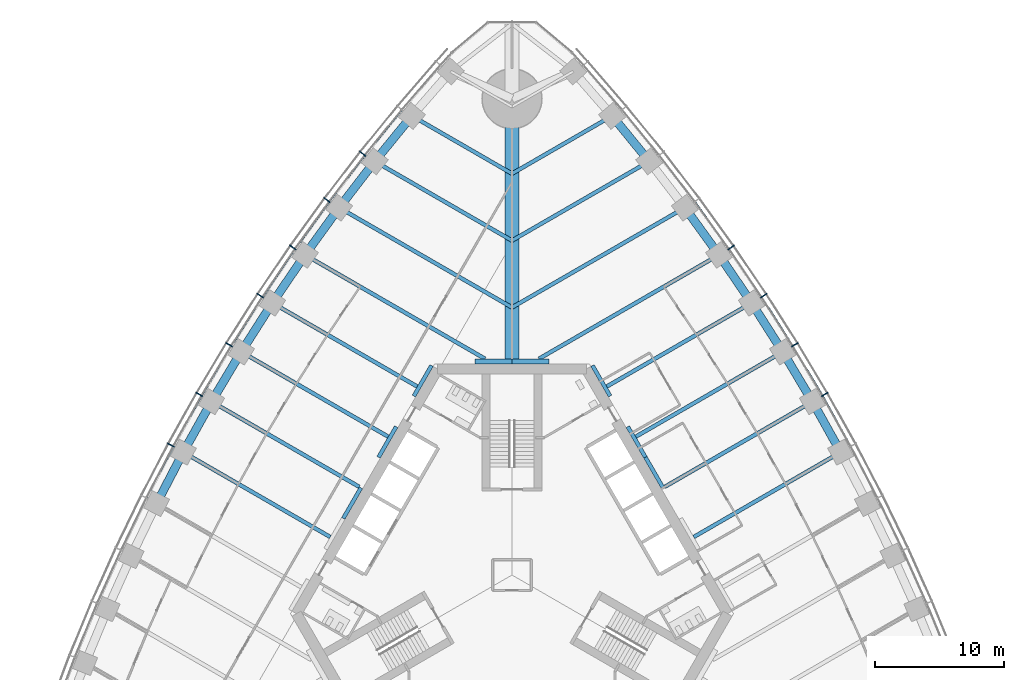
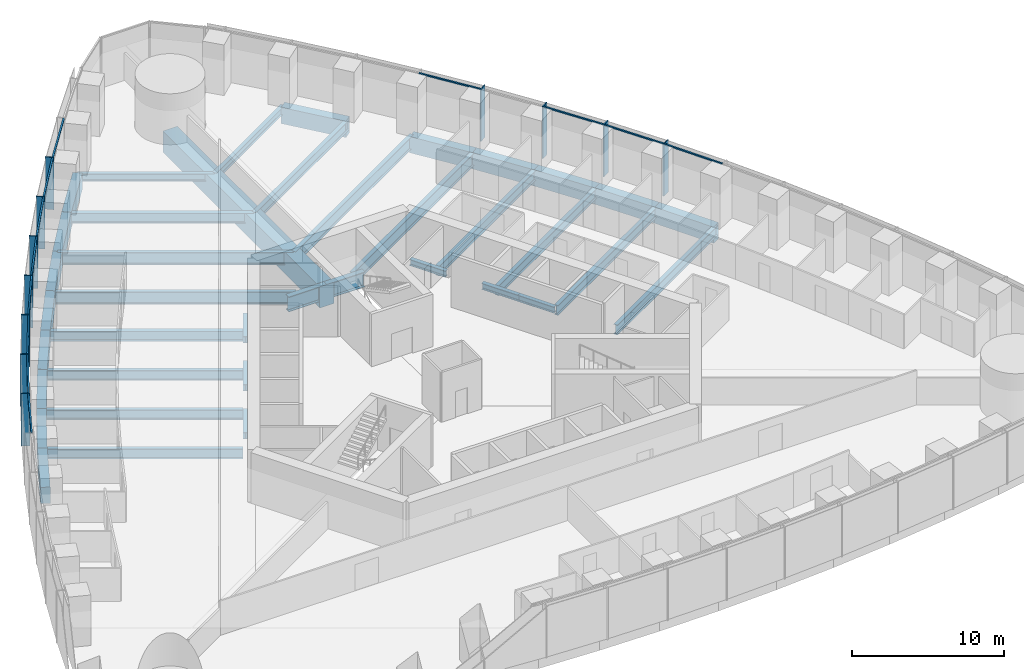
# One storey, part 4 of 18: 39 beams, 23 members, 2 elements without a shape of their own.
"""IFC4 building model written with IfcOpenShell, lengths in metres."""

from ifc_helpers import new_model, si_unit, direction, frame, origin, origin_2d, place, context, subcontext, project, spatial, rectangle, i_section, extrude, material, material_profile, profile_set, type_object, element, aggregate, save


model = new_model("IFC4")

# Units and contexts
model_context = context("Model", 3, precision=1e-05, world=origin(), true_north=direction((0.0, 1.0)))
body_context = subcontext(model_context, "Body", "Model", "MODEL_VIEW")
ifc_project = project(units=[si_unit("LENGTHUNIT", "METRE"), si_unit("AREAUNIT", "SQUARE_METRE"), si_unit("VOLUMEUNIT", "CUBIC_METRE"), si_unit("PLANEANGLEUNIT", "RADIAN"), si_unit("MASSUNIT", "GRAM", prefix="KILO")], contexts=[model_context])

# Site, building, storey
site_placement = place(None, origin())
site = spatial("IfcSite", under=ifc_project, at=site_placement, CompositionType="ELEMENT")
building_placement = place(site_placement, origin())
building = spatial("IfcBuilding", under=site, at=building_placement, Name="Trefoil Bronze Tower", CompositionType="ELEMENT")
storey_placement = place(building_placement, frame((0.0, 0.0, 58.5)))
storey = spatial("IfcBuildingStorey", under=building, at=storey_placement, Name="L13", CompositionType="ELEMENT", Elevation=58.5)

# Curtain wall, members
ifc_material_1 = material(Name="Tinted solar-control glass", Category="glass")
curtain_wall_type = type_object("IfcCurtainWallType", Name="Bronze office curtain wall", PredefinedType="USERDEFINED", material=ifc_material_1)
curtain_wall_1_placement = place(storey_placement, origin())
curtain_wall_1 = element("IfcCurtainWall", 1, at=curtain_wall_1_placement, inside=storey, type_object=curtain_wall_type, Name="CW-A L13 F2", ObjectType="CURTAIN WALL", PredefinedType="USERDEFINED")
ifc_material_2 = material(Name="Bronze-finish aluminium", Category="aluminium")
ifc_material_profile_1 = material_profile(ifc_material_2, rectangle(XDim=0.60009765625, YDim=0.080078125, at=origin_2d()), Name="CW-A mullion")
ifc_profile_set_1 = profile_set([ifc_material_profile_1], Name="Bronze-finish aluminium")
member_type_1 = type_object("IfcMemberType", Name="Bronze office curtain wall mullion", PredefinedType="MULLION", material=ifc_profile_set_1)
member_1_placement = place(storey_placement, frame((24.291015625, 14.0244140625, 0.0), z_axis=(0.0, 0.0, 1.0), x_axis=(-0.866025403784, -0.5, 0.0)))
member_1 = element("IfcMember", 2, at=member_1_placement, type_object=member_type_1, Name="CW-A L13 F2 mullion 9", PredefinedType="MULLION", context=body_context, shape_type="SweptSolid", body=[
    extrude(rectangle(XDim=0.60009765625, YDim=0.080078125, at=origin_2d()), origin(), (0.0, 0.0, 1.0), 4.179931640625),
])
member_2_placement = place(storey_placement, frame((21.97998046875, 17.896240234375, 0.0), z_axis=(0.0, 0.0, 1.0), x_axis=(-0.851149783004, -0.524922896141, 0.0)))
member_2 = element("IfcMember", 3, at=member_2_placement, type_object=member_type_1, Name="CW-A L13 F2 mullion 10", PredefinedType="MULLION", context=body_context, shape_type="SweptSolid", body=[
    extrude(rectangle(XDim=0.60009765625, YDim=0.080078125, at=origin_2d()), origin(), (0.0, 0.0, 1.0), 4.179931640625),
])
member_3_placement = place(storey_placement, frame((19.555419921875, 21.70263671875, 0.0), z_axis=(0.0, 0.0, 1.0), x_axis=(-0.835543651684, -0.549424067665, 0.0)))
member_3 = element("IfcMember", 4, at=member_3_placement, type_object=member_type_1, Name="CW-A L13 F2 mullion 11", PredefinedType="MULLION", context=body_context, shape_type="SweptSolid", body=[
    extrude(rectangle(XDim=0.60009765625, YDim=0.080078125, at=origin_2d()), origin(), (0.0, 0.0, 1.0), 4.179931640625),
])
member_4_placement = place(storey_placement, frame((17.01708984375, 25.443359375, 0.0), z_axis=(0.0, 0.0, 1.0), x_axis=(-0.819204207116, -0.573501932903, 0.0)))
member_4 = element("IfcMember", 5, at=member_4_placement, type_object=member_type_1, Name="CW-A L13 F2 mullion 12", PredefinedType="MULLION", context=body_context, shape_type="SweptSolid", body=[
    extrude(rectangle(XDim=0.60009765625, YDim=0.080078125, at=origin_2d()), origin(), (0.0, 0.0, 1.0), 4.179931640625),
])

curtain_wall_2_placement = place(storey_placement, origin())
curtain_wall_2 = element("IfcCurtainWall", 6, at=curtain_wall_2_placement, inside=storey, type_object=curtain_wall_type, Name="CW-A L13 F3", ObjectType="CURTAIN WALL", PredefinedType="USERDEFINED")
member_5_placement = place(storey_placement, frame((-11.595458984375, 32.7255859375, 0.0), z_axis=(0.0, 0.0, 1.0), x_axis=(0.784304615744, -0.620375910011, 0.0)))
member_5 = element("IfcMember", 7, at=member_5_placement, type_object=member_type_1, Name="CW-A L13 F3 mullion 4", PredefinedType="MULLION", context=body_context, shape_type="SweptSolid", body=[
    extrude(rectangle(XDim=0.60009765625, YDim=0.080078125, at=origin_2d()), origin(), (0.0, 0.0, 1.0), 4.179931640625),
])
member_6_placement = place(storey_placement, frame((-14.364013671875, 29.117919921875, 0.0), z_axis=(0.0, 0.0, 1.0), x_axis=(0.802126748469, -0.59715381552, 0.0)))
member_6 = element("IfcMember", 8, at=member_6_placement, type_object=member_type_1, Name="CW-A L13 F3 mullion 5", PredefinedType="MULLION", context=body_context, shape_type="SweptSolid", body=[
    extrude(rectangle(XDim=0.60009765625, YDim=0.080078125, at=origin_2d()), origin(), (0.0, 0.0, 1.0), 4.179931640625),
])
member_7_placement = place(storey_placement, frame((-17.01708984375, 25.443359375, 0.0), z_axis=(0.0, 0.0, 1.0), x_axis=(0.819204207116, -0.573501932903, 0.0)))
member_7 = element("IfcMember", 9, at=member_7_placement, type_object=member_type_1, Name="CW-A L13 F3 mullion 6", PredefinedType="MULLION", context=body_context, shape_type="SweptSolid", body=[
    extrude(rectangle(XDim=0.60009765625, YDim=0.080078125, at=origin_2d()), origin(), (0.0, 0.0, 1.0), 4.179931640625),
])
member_8_placement = place(storey_placement, frame((-19.555419921875, 21.70263671875, 0.0), z_axis=(0.0, 0.0, 1.0), x_axis=(0.835543651684, -0.549424067665, 0.0)))
member_8 = element("IfcMember", 10, at=member_8_placement, type_object=member_type_1, Name="CW-A L13 F3 mullion 7", PredefinedType="MULLION", context=body_context, shape_type="SweptSolid", body=[
    extrude(rectangle(XDim=0.60009765625, YDim=0.080078125, at=origin_2d()), origin(), (0.0, 0.0, 1.0), 4.179931640625),
])
member_9_placement = place(storey_placement, frame((-21.97998046875, 17.896240234375, 0.0), z_axis=(0.0, 0.0, 1.0), x_axis=(0.851149783004, -0.524922896141, 0.0)))
member_9 = element("IfcMember", 11, at=member_9_placement, type_object=member_type_1, Name="CW-A L13 F3 mullion 8", PredefinedType="MULLION", context=body_context, shape_type="SweptSolid", body=[
    extrude(rectangle(XDim=0.60009765625, YDim=0.080078125, at=origin_2d()), origin(), (0.0, 0.0, 1.0), 4.179931640625),
])
member_10_placement = place(storey_placement, frame((-24.291015625, 14.0244140625, 0.0), z_axis=(0.0, 0.0, 1.0), x_axis=(0.866025403784, -0.5, 0.0)))
member_10 = element("IfcMember", 12, at=member_10_placement, type_object=member_type_1, Name="CW-A L13 F3 mullion 9", PredefinedType="MULLION", context=body_context, shape_type="SweptSolid", body=[
    extrude(rectangle(XDim=0.60009765625, YDim=0.080078125, at=origin_2d()), origin(), (0.0, 0.0, 1.0), 4.179931640625),
])
member_11_placement = place(storey_placement, frame((-26.488525390625, 10.0869140625, 0.0), z_axis=(0.0, 0.0, 1.0), x_axis=(0.880171454588, -0.474655886437, 0.0)))
member_11 = element("IfcMember", 13, at=member_11_placement, type_object=member_type_1, Name="CW-A L13 F3 mullion 10", PredefinedType="MULLION", context=body_context, shape_type="SweptSolid", body=[
    extrude(rectangle(XDim=0.60009765625, YDim=0.080078125, at=origin_2d()), origin(), (0.0, 0.0, 1.0), 4.179931640625),
])

# Member
ifc_material_3 = material(Name="Bronze-finish aluminium", Category="aluminium")
ifc_material_profile_2 = material_profile(ifc_material_3, rectangle(XDim=0.1201171875, YDim=0.10009765625, at=origin_2d()), Name="CW-A transom")
ifc_profile_set_2 = profile_set([ifc_material_profile_2], Name="Bronze-finish aluminium")
member_type_2 = type_object("IfcMemberType", Name="Bronze office curtain wall transom", PredefinedType="USERDEFINED", material=ifc_profile_set_2)
member_12_placement = place(storey_placement, frame((26.29248046875, 10.0283203125, 4.1298828125), z_axis=(-0.487400435348, 0.873178570295, 0.0), x_axis=(-0.873178570295, -0.487400435348, 0.0)))
member_12 = element("IfcMember", 14, at=member_12_placement, type_object=member_type_2, Name="CW-A L13 F2 transom 8", ObjectType="TRANSOM", PredefinedType="USERDEFINED", context=body_context, shape_type="SweptSolid", body=[
    extrude(rectangle(XDim=0.1201171875, YDim=0.10009765625, at=origin_2d()), origin(), (0.0, 0.0, 1.0), 4.42041015625),
])

member_13_placement = place(storey_placement, frame((24.096435546875, 13.9599609375, 4.1298828125), z_axis=(-0.512536988879, 0.858665147209, 0.0), x_axis=(-0.858665147209, -0.512536988879, 0.0)))
member_13 = element("IfcMember", 15, at=member_13_placement, type_object=member_type_2, Name="CW-A L13 F2 transom 9", ObjectType="TRANSOM", PredefinedType="USERDEFINED", context=body_context, shape_type="SweptSolid", body=[
    extrude(rectangle(XDim=0.1201171875, YDim=0.10009765625, at=origin_2d()), origin(), (0.0, 0.0, 1.0), 4.42041015625),
])

member_14_placement = place(storey_placement, frame((21.787353515625, 17.826171875, 4.1298828125), z_axis=(-0.537196807268, 0.843456928515, 0.0), x_axis=(-0.843456928515, -0.537196807268, 0.0)))
member_14 = element("IfcMember", 16, at=member_14_placement, type_object=member_type_2, Name="CW-A L13 F2 transom 10", ObjectType="TRANSOM", PredefinedType="USERDEFINED", context=body_context, shape_type="SweptSolid", body=[
    extrude(rectangle(XDim=0.1201171875, YDim=0.10009765625, at=origin_2d()), origin(), (0.0, 0.0, 1.0), 4.42431640625),
])

member_15_placement = place(storey_placement, frame((16.828857421875, 25.3623046875, 4.1298828125), z_axis=(-0.585378207433, 0.81076035563, 0.0), x_axis=(-0.81076035563, -0.585378207433, 0.0)))
member_15 = element("IfcMember", 17, at=member_15_placement, type_object=member_type_2, Name="CW-A L13 F2 transom 12", ObjectType="TRANSOM", PredefinedType="USERDEFINED", context=body_context, shape_type="SweptSolid", body=[
    extrude(rectangle(XDim=0.1201171875, YDim=0.10009765625, at=origin_2d()), origin(), (0.0, 0.0, 1.0), 4.443359375),
])

aggregate(curtain_wall_1, [member_1, member_2, member_3, member_4, member_12, member_13, member_14, member_15])

member_16_placement = place(storey_placement, frame((-8.582763671875, 36.10498046875, 4.1298828125), z_axis=(-0.631835540201, -0.775102477185, 0.0), x_axis=(0.775102477185, -0.631835540201, 0.0)))
member_16 = element("IfcMember", 18, at=member_16_placement, type_object=member_type_2, Name="CW-A L13 F3 transom 3", ObjectType="TRANSOM", PredefinedType="USERDEFINED", context=body_context, shape_type="SweptSolid", body=[
    extrude(rectangle(XDim=0.1201171875, YDim=0.10009765625, at=origin_2d()), origin(), (0.0, 0.0, 1.0), 4.478271484375),
])

member_17_placement = place(storey_placement, frame((-11.4638671875, 32.568603515625, 4.1298828125), z_axis=(-0.608829203216, -0.793301330713, 0.0), x_axis=(0.793301330713, -0.608829203216, 0.0)))
member_17 = element("IfcMember", 19, at=member_17_placement, type_object=member_type_2, Name="CW-A L13 F3 transom 4", ObjectType="TRANSOM", PredefinedType="USERDEFINED", context=body_context, shape_type="SweptSolid", body=[
    extrude(rectangle(XDim=0.1201171875, YDim=0.10009765625, at=origin_2d()), origin(), (0.0, 0.0, 1.0), 4.458740234375),
])

member_18_placement = place(storey_placement, frame((-14.227783203125, 28.96484375, 4.1298828125), z_axis=(-0.585378207433, -0.81076035563, 0.0), x_axis=(0.81076035563, -0.585378207433, 0.0)))
member_18 = element("IfcMember", 20, at=member_18_placement, type_object=member_type_2, Name="CW-A L13 F3 transom 5", ObjectType="TRANSOM", PredefinedType="USERDEFINED", context=body_context, shape_type="SweptSolid", body=[
    extrude(rectangle(XDim=0.1201171875, YDim=0.10009765625, at=origin_2d()), origin(), (0.0, 0.0, 1.0), 4.443359375),
])

member_19_placement = place(storey_placement, frame((-16.87646484375, 25.29443359375, 4.1298828125), z_axis=(-0.561508153923, -0.827471203775, 0.0), x_axis=(0.827471203775, -0.561508153923, 0.0)))
member_19 = element("IfcMember", 21, at=member_19_placement, type_object=member_type_2, Name="CW-A L13 F3 transom 6", ObjectType="TRANSOM", PredefinedType="USERDEFINED", context=body_context, shape_type="SweptSolid", body=[
    extrude(rectangle(XDim=0.1201171875, YDim=0.10009765625, at=origin_2d()), origin(), (0.0, 0.0, 1.0), 4.431884765625),
])

member_20_placement = place(storey_placement, frame((-19.41064453125, 21.557861328125, 4.1298828125), z_axis=(-0.537196807268, -0.843456928515, 0.0), x_axis=(0.843456928515, -0.537196807268, 0.0)))
member_20 = element("IfcMember", 22, at=member_20_placement, type_object=member_type_2, Name="CW-A L13 F3 transom 7", ObjectType="TRANSOM", PredefinedType="USERDEFINED", context=body_context, shape_type="SweptSolid", body=[
    extrude(rectangle(XDim=0.1201171875, YDim=0.10009765625, at=origin_2d()), origin(), (0.0, 0.0, 1.0), 4.42431640625),
])

member_21_placement = place(storey_placement, frame((-21.830810546875, 17.755615234375, 4.1298828125), z_axis=(-0.512536988879, -0.858665147209, 0.0), x_axis=(0.858665147209, -0.512536988879, 0.0)))
member_21 = element("IfcMember", 23, at=member_21_placement, type_object=member_type_2, Name="CW-A L13 F3 transom 8", ObjectType="TRANSOM", PredefinedType="USERDEFINED", context=body_context, shape_type="SweptSolid", body=[
    extrude(rectangle(XDim=0.1201171875, YDim=0.10009765625, at=origin_2d()), origin(), (0.0, 0.0, 1.0), 4.42041015625),
])

member_22_placement = place(storey_placement, frame((-24.137939453125, 13.88818359375, 4.1298828125), z_axis=(-0.487400435348, -0.873178570295, 0.0), x_axis=(0.873178570295, -0.487400435348, 0.0)))
member_22 = element("IfcMember", 24, at=member_22_placement, type_object=member_type_2, Name="CW-A L13 F3 transom 9", ObjectType="TRANSOM", PredefinedType="USERDEFINED", context=body_context, shape_type="SweptSolid", body=[
    extrude(rectangle(XDim=0.1201171875, YDim=0.10009765625, at=origin_2d()), origin(), (0.0, 0.0, 1.0), 4.42041015625),
])

member_23_placement = place(storey_placement, frame((-26.331787109375, 9.955322265625, 4.1298828125), z_axis=(-0.461809621225, -0.886979071762, 0.0), x_axis=(0.886979071762, -0.461809621225, 0.0)))
member_23 = element("IfcMember", 25, at=member_23_placement, type_object=member_type_2, Name="CW-A L13 F3 transom 10", ObjectType="TRANSOM", PredefinedType="USERDEFINED", context=body_context, shape_type="SweptSolid", body=[
    extrude(rectangle(XDim=0.1201171875, YDim=0.10009765625, at=origin_2d()), origin(), (0.0, 0.0, 1.0), 4.42431640625),
])

aggregate(curtain_wall_2, [member_5, member_6, member_7, member_8, member_9, member_10, member_11, member_16, member_17, member_18, member_19, member_20, member_21, member_22, member_23])

# Beams
ifc_material_4 = material(Name="Steel C355", Category="steel")
ifc_material_profile_3 = material_profile(ifc_material_4, i_section(OverallWidth=0.300048828125, OverallDepth=0.5, WebThickness=0.014404296875, FlangeThickness=0.028076171875, FilletRadius=0.027099609375, at=origin_2d()), Name="HEB 500")
ifc_profile_set_3 = profile_set([ifc_material_profile_3], Name="Steel C355")
beam_type_1 = type_object("IfcBeamType", Name="Core seat beam HEB 500", PredefinedType="BEAM", material=ifc_profile_set_3)
for number, where, z_axis, x_axis, name in (
    (26, (11.734619140625, 6.77490234375, -0.449951171875), (-0.499969057507, 0.866043267704, 0.0), (-0.866043267704, -0.499969057507, 0.0), "Core seat beam F2/+0 L13"),
    (27, (10.363525390625, 9.14990234375, -0.449951171875), (-0.500035825175, 0.866004719122, 0.0), (-0.866004719122, -0.500035825175, 0.0), "Core seat beam F2/+1 L13"),
    (28, (7.62109375, 13.89990234375, -0.449951171875), (-0.500035825175, 0.866004719122, 0.0), (-0.866004719122, -0.500035825175, 0.0), "Core seat beam F2/+2 L13"),
    (29, (-6.249755859375, 16.27490234375, -0.449951171875), (-0.500035825175, -0.866004719122, 0.0), (0.866004719122, -0.500035825175, 0.0), "Core seat beam F3/-2 L13"),
    (30, (-8.9921875, 11.52490234375, -0.449951171875), (-0.500035825175, -0.866004719122, 0.0), (0.866004719122, -0.500035825175, 0.0), "Core seat beam F3/-1 L13"),
    (31, (-11.734619140625, 6.77490234375, -0.449951171875), (-0.500035825175, -0.866004719122, 0.0), (0.866004719122, -0.500035825175, 0.0), "Core seat beam F3/+0 L13"),
):
    element("IfcBeam", number, at=place(storey_placement, frame(where, z_axis=z_axis, x_axis=x_axis)), inside=storey, type_object=beam_type_1, Name=name, PredefinedType="BEAM", context=body_context, shape_type="SweptSolid", body=[
        extrude(i_section(OverallWidth=0.300048828125, OverallDepth=0.5, WebThickness=0.014404296875, FlangeThickness=0.028076171875, FilletRadius=0.027099609375, at=origin_2d()), origin(), (0.0, 0.0, 1.0), 2.742431640625),
    ])
ifc_material_5 = material(Name="Steel C355", Category="steel")
ifc_material_profile_4 = material_profile(ifc_material_5, i_section(OverallWidth=0.39990234375, OverallDepth=1.199951171875, WebThickness=0.02001953125, FlangeThickness=0.0400390625, FilletRadius=0.010009765625, at=origin_2d()), Name="WPG 1200")
ifc_profile_set_4 = profile_set([ifc_material_profile_4], Name="Steel C355")
beam_type_2 = type_object("IfcBeamType", Name="Core seat beam WPG 1200", PredefinedType="BEAM", material=ifc_profile_set_4)
for number, where, z_axis, x_axis, name in (
    (32, (2.88671875, 16.60009765625, -0.800048828125), (-1.0, 0.0, 0.0), (0.0, -1.0, 0.0), "Core seat beam F2/+3 L13"),
    (33, (0.0, 16.60009765625, -0.800048828125), (-1.0, 0.0, 0.0), (0.0, -1.0, 0.0), "Core seat beam F3/-3 L13"),
):
    element("IfcBeam", number, at=place(storey_placement, frame(where, z_axis=z_axis, x_axis=x_axis)), inside=storey, type_object=beam_type_2, Name=name, PredefinedType="BEAM", context=body_context, shape_type="SweptSolid", body=[
        extrude(i_section(OverallWidth=0.39990234375, OverallDepth=1.199951171875, WebThickness=0.02001953125, FlangeThickness=0.0400390625, FilletRadius=0.010009765625, at=origin_2d()), origin(), (0.0, 0.0, 1.0), 2.88671875),
    ])
ifc_material_6 = material(Name="Concrete B80", Category="concrete")
ifc_material_profile_5 = material_profile(ifc_material_6, rectangle(XDim=1.10009765625, YDim=1.699951171875, at=origin_2d()), Name="RC 1100x1700")
ifc_profile_set_5 = profile_set([ifc_material_profile_5], Name="Concrete B80")
beam_type_3 = type_object("IfcBeamType", Name="Corner girder RC 1100x1700", PredefinedType="BEAM", material=ifc_profile_set_5)
beam_1_placement = place(storey_placement, frame((0.0, 16.39990234375, -1.050048828125), z_axis=(0.0, 1.0, 0.0), x_axis=(-1.0, 0.0, 0.0)))
element("IfcBeam", 34, at=beam_1_placement, inside=storey, type_object=beam_type_3, Name="Corner girder K2 L13", PredefinedType="BEAM", context=body_context, shape_type="SweptSolid", body=[
    extrude(rectangle(XDim=1.10009765625, YDim=1.699951171875, at=origin_2d()), origin(), (0.0, 0.0, 1.0), 20.60009765625),
])
ifc_material_7 = material(Name="Steel C355", Category="steel")
ifc_material_profile_6 = material_profile(ifc_material_7, i_section(OverallWidth=0.300048828125, OverallDepth=0.590087890625, WebThickness=0.012939453125, FlangeThickness=0.02490234375, FilletRadius=0.027099609375, at=origin_2d()), Name="HEA 600")
ifc_profile_set_6 = profile_set([ifc_material_profile_6], Name="Steel C355")
beam_type_4 = type_object("IfcBeamType", Name="Floor beam HEA 600", PredefinedType="BEAM", material=ifc_profile_set_6)
for number, where, z_axis, x_axis, name in (
    (35, (7.7763671875, 35.666748046875, -0.4951171875), (-0.866022587327, -0.500004878216, 0.0), (0.500004878216, -0.866022587327, 0.0), "Floor beam F2/+6 L13"),
    (36, (-7.7763671875, 35.666748046875, -0.4951171875), (0.866022587327, -0.500004878216, 0.0), (0.500004878216, 0.866022587327, 0.0), "Floor beam F3/-6 L13"),
):
    element("IfcBeam", number, at=place(storey_placement, frame(where, z_axis=z_axis, x_axis=x_axis)), inside=storey, type_object=beam_type_4, Name=name, PredefinedType="BEAM", context=body_context, shape_type="SweptSolid", body=[
        extrude(i_section(OverallWidth=0.300048828125, OverallDepth=0.590087890625, WebThickness=0.012939453125, FlangeThickness=0.02490234375, FilletRadius=0.027099609375, at=origin_2d()), origin(), (0.0, 0.0, 1.0), 8.9794921875),
    ])
ifc_material_8 = material(Name="Steel C355", Category="steel")
ifc_material_profile_7 = material_profile(ifc_material_8, i_section(OverallWidth=0.300048828125, OverallDepth=1.0, WebThickness=0.01904296875, FlangeThickness=0.035888671875, FilletRadius=0.030029296875, at=origin_2d()), Name="HEB 1000")
ifc_profile_set_7 = profile_set([ifc_material_profile_7], Name="Steel C355")
beam_type_5 = type_object("IfcBeamType", Name="Floor beam HEB 1000", PredefinedType="BEAM", material=ifc_profile_set_7)
for number, where, z_axis, x_axis, name in (
    (37, (13.42578125, 28.5361328125, -0.699951171875), (-0.866022989816, -0.500004181093, 0.0), (0.500004181093, -0.866022989816, 0.0), "Floor beam F2/+4 L13"),
    (38, (-13.42578125, 28.5361328125, -0.699951171875), (0.866022989816, -0.500004181093, 0.0), (0.500004181093, 0.866022989816, 0.0), "Floor beam F3/-4 L13"),
):
    element("IfcBeam", number, at=place(storey_placement, frame(where, z_axis=z_axis, x_axis=x_axis)), inside=storey, type_object=beam_type_5, Name=name, PredefinedType="BEAM", context=body_context, shape_type="SweptSolid", body=[
        extrude(i_section(OverallWidth=0.300048828125, OverallDepth=1.0, WebThickness=0.01904296875, FlangeThickness=0.035888671875, FilletRadius=0.030029296875, at=origin_2d()), origin(), (0.0, 0.0, 1.0), 15.502685546875),
    ])
ifc_material_9 = material(Name="Steel C355", Category="steel")
ifc_material_profile_8 = material_profile(ifc_material_9, i_section(OverallWidth=0.300048828125, OverallDepth=0.800048828125, WebThickness=0.017578125, FlangeThickness=0.032958984375, FilletRadius=0.030029296875, at=origin_2d()), Name="HEB 800")
ifc_profile_set_8 = profile_set([ifc_material_profile_8], Name="Steel C355")
beam_type_6 = type_object("IfcBeamType", Name="Floor beam HEB 800", PredefinedType="BEAM", material=ifc_profile_set_8)
beam_2_placement = place(storey_placement, frame((25.531494140625, 9.54443359375, -0.60009765625), z_axis=(-0.866027071639, -0.499997111179, 0.0), x_axis=(0.499997111179, -0.866027071639, 0.0)))
element("IfcBeam", 39, at=beam_2_placement, inside=storey, type_object=beam_type_6, Name="Floor beam F2/-1 L13", PredefinedType="BEAM", context=body_context, shape_type="SweptSolid", body=[
    extrude(i_section(OverallWidth=0.300048828125, OverallDepth=0.800048828125, WebThickness=0.017578125, FlangeThickness=0.032958984375, FilletRadius=0.030029296875, at=origin_2d()), origin(), (0.0, 0.0, 1.0), 13.18310546875),
])
beam_3_placement = place(storey_placement, frame((23.33837890625, 13.474365234375, -0.60009765625), z_axis=(-0.866031233401, -0.499989902672, 0.0), x_axis=(0.499989902672, -0.866031233401, 0.0)))
element("IfcBeam", 40, at=beam_3_placement, inside=storey, type_object=beam_type_6, Name="Floor beam F2/+0 L13", PredefinedType="BEAM", context=body_context, shape_type="SweptSolid", body=[
    extrude(i_section(OverallWidth=0.300048828125, OverallDepth=0.800048828125, WebThickness=0.017578125, FlangeThickness=0.032958984375, FilletRadius=0.030029296875, at=origin_2d()), origin(), (0.0, 0.0, 1.0), 13.248779296875),
])
beam_4_placement = place(storey_placement, frame((21.031494140625, 17.338623046875, -0.60009765625), z_axis=(-0.866027071639, -0.499997111179, 0.0), x_axis=(0.499997111179, -0.866027071639, 0.0)))
element("IfcBeam", 41, at=beam_4_placement, inside=storey, type_object=beam_type_6, Name="Floor beam F2/+1 L13", PredefinedType="BEAM", context=body_context, shape_type="SweptSolid", body=[
    extrude(i_section(OverallWidth=0.300048828125, OverallDepth=0.800048828125, WebThickness=0.017578125, FlangeThickness=0.032958984375, FilletRadius=0.030029296875, at=origin_2d()), origin(), (0.0, 0.0, 1.0), 13.18310546875),
])
beam_5_placement = place(storey_placement, frame((18.61083984375, 21.13720703125, -0.60009765625), z_axis=(-0.866030615021, -0.499990973765, 0.0), x_axis=(0.499990973765, -0.866030615021, 0.0)))
element("IfcBeam", 42, at=beam_5_placement, inside=storey, type_object=beam_type_6, Name="Floor beam F2/+2 L13", PredefinedType="BEAM", context=body_context, shape_type="SweptSolid", body=[
    extrude(i_section(OverallWidth=0.300048828125, OverallDepth=0.800048828125, WebThickness=0.017578125, FlangeThickness=0.032958984375, FilletRadius=0.030029296875, at=origin_2d()), origin(), (0.0, 0.0, 1.0), 12.986083984375),
])
for number, where, z_axis, x_axis, name in (
    (43, (10.659912109375, 32.13525390625, -0.60009765625), (-0.866024070878, -0.500002308654, 0.0), (0.500002308654, -0.866024070878, 0.0), "Floor beam F2/+5 L13"),
    (44, (-10.659912109375, 32.13525390625, -0.60009765625), (0.866024070878, -0.500002308654, 0.0), (0.500002308654, 0.866024070878, 0.0), "Floor beam F3/-5 L13"),
):
    element("IfcBeam", number, at=place(storey_placement, frame(where, z_axis=z_axis, x_axis=x_axis)), inside=storey, type_object=beam_type_6, Name=name, PredefinedType="BEAM", context=body_context, shape_type="SweptSolid", body=[
        extrude(i_section(OverallWidth=0.300048828125, OverallDepth=0.800048828125, WebThickness=0.017578125, FlangeThickness=0.032958984375, FilletRadius=0.030029296875, at=origin_2d()), origin(), (0.0, 0.0, 1.0), 12.30908203125),
    ])
beam_6_placement = place(storey_placement, frame((-18.61083984375, 21.13720703125, -0.60009765625), z_axis=(0.866030615021, -0.499990973765, 0.0), x_axis=(0.499990973765, 0.866030615021, 0.0)))
element("IfcBeam", 45, at=beam_6_placement, inside=storey, type_object=beam_type_6, Name="Floor beam F3/-2 L13", PredefinedType="BEAM", context=body_context, shape_type="SweptSolid", body=[
    extrude(i_section(OverallWidth=0.300048828125, OverallDepth=0.800048828125, WebThickness=0.017578125, FlangeThickness=0.032958984375, FilletRadius=0.030029296875, at=origin_2d()), origin(), (0.0, 0.0, 1.0), 12.986083984375),
])
beam_7_placement = place(storey_placement, frame((-21.031494140625, 17.338623046875, -0.60009765625), z_axis=(0.866027071639, -0.499997111179, 0.0), x_axis=(0.499997111179, 0.866027071639, 0.0)))
element("IfcBeam", 46, at=beam_7_placement, inside=storey, type_object=beam_type_6, Name="Floor beam F3/-1 L13", PredefinedType="BEAM", context=body_context, shape_type="SweptSolid", body=[
    extrude(i_section(OverallWidth=0.300048828125, OverallDepth=0.800048828125, WebThickness=0.017578125, FlangeThickness=0.032958984375, FilletRadius=0.030029296875, at=origin_2d()), origin(), (0.0, 0.0, 1.0), 13.18310546875),
])
beam_8_placement = place(storey_placement, frame((-23.33837890625, 13.474365234375, -0.60009765625), z_axis=(0.866031233401, -0.499989902672, 0.0), x_axis=(0.499989902672, 0.866031233401, 0.0)))
element("IfcBeam", 47, at=beam_8_placement, inside=storey, type_object=beam_type_6, Name="Floor beam F3/+0 L13", PredefinedType="BEAM", context=body_context, shape_type="SweptSolid", body=[
    extrude(i_section(OverallWidth=0.300048828125, OverallDepth=0.800048828125, WebThickness=0.017578125, FlangeThickness=0.032958984375, FilletRadius=0.030029296875, at=origin_2d()), origin(), (0.0, 0.0, 1.0), 13.248779296875),
])
beam_9_placement = place(storey_placement, frame((-25.531494140625, 9.54443359375, -0.60009765625), z_axis=(0.866027071639, -0.499997111179, 0.0), x_axis=(0.499997111179, 0.866027071639, 0.0)))
element("IfcBeam", 48, at=beam_9_placement, inside=storey, type_object=beam_type_6, Name="Floor beam F3/+1 L13", PredefinedType="BEAM", context=body_context, shape_type="SweptSolid", body=[
    extrude(i_section(OverallWidth=0.300048828125, OverallDepth=0.800048828125, WebThickness=0.017578125, FlangeThickness=0.032958984375, FilletRadius=0.030029296875, at=origin_2d()), origin(), (0.0, 0.0, 1.0), 13.18310546875),
])
ifc_material_10 = material(Name="Steel C355", Category="steel")
ifc_material_profile_9 = material_profile(ifc_material_10, i_section(OverallWidth=0.302001953125, OverallDepth=1.008056640625, WebThickness=0.02099609375, FlangeThickness=0.0400390625, FilletRadius=0.030029296875, at=origin_2d()), Name="HEM 1000")
ifc_profile_set_9 = profile_set([ifc_material_profile_9], Name="Steel C355")
beam_type_7 = type_object("IfcBeamType", Name="Floor beam HEM 1000", PredefinedType="BEAM", material=ifc_profile_set_9)
for number, where, z_axis, x_axis, name in (
    (49, (16.075927734375, 24.869873046875, -0.7041015625), (-0.866028401131, -0.499994808408, 0.0), (0.499994808408, -0.866028401131, 0.0), "Floor beam F2/+3 L13"),
    (50, (-16.075927734375, 24.869873046875, -0.7041015625), (0.866028401131, -0.499994808408, 0.0), (0.499994808408, 0.866028401131, 0.0), "Floor beam F3/-3 L13"),
):
    element("IfcBeam", number, at=place(storey_placement, frame(where, z_axis=z_axis, x_axis=x_axis)), inside=storey, type_object=beam_type_7, Name=name, PredefinedType="BEAM", context=body_context, shape_type="SweptSolid", body=[
        extrude(i_section(OverallWidth=0.302001953125, OverallDepth=1.008056640625, WebThickness=0.02099609375, FlangeThickness=0.0400390625, FilletRadius=0.030029296875, at=origin_2d()), origin(), (0.0, 0.0, 1.0), 16.139892578125),
    ])
ifc_material_11 = material(Name="Concrete B80", Category="concrete")
ifc_material_profile_10 = material_profile(ifc_material_11, rectangle(XDim=0.64990234375, YDim=1.300048828125, at=origin_2d()), Name="RC 650x1300")
ifc_profile_set_10 = profile_set([ifc_material_profile_10], Name="Concrete B80")
beam_type_8 = type_object("IfcBeamType", Name="Spandrel beam RC 650x1300", PredefinedType="SPANDREL", material=ifc_profile_set_10)
for number, where, z_axis, x_axis, name in (
    (51, (25.531494140625, 9.54443359375, -0.85009765625), (-0.487309404804, 0.873229376504, 0.0), (-0.873229376504, -0.487309404804, 0.0), "Spandrel F2.8 L13"),
    (52, (23.33837890625, 13.474365234375, -0.85009765625), (-0.512587831591, 0.858634797166, 0.0), (-0.858634797166, -0.512587831591, 0.0), "Spandrel F2.9 L13"),
):
    element("IfcBeam", number, at=place(storey_placement, frame(where, z_axis=z_axis, x_axis=x_axis)), inside=storey, type_object=beam_type_8, Name=name, PredefinedType="SPANDREL", context=body_context, shape_type="SweptSolid", body=[
        extrude(rectangle(XDim=0.64990234375, YDim=1.300048828125, at=origin_2d()), origin(), (0.0, 0.0, 1.0), 4.50048828125),
    ])
beam_10_placement = place(storey_placement, frame((21.031494140625, 17.338623046875, -0.85009765625), z_axis=(-0.537408473305, 0.843322081307, 0.0), x_axis=(-0.843322081307, -0.537408473305, 0.0)))
element("IfcBeam", 53, at=beam_10_placement, inside=storey, type_object=beam_type_8, Name="Spandrel F2.10 L13", PredefinedType="SPANDREL", context=body_context, shape_type="SweptSolid", body=[
    extrude(rectangle(XDim=0.64990234375, YDim=1.300048828125, at=origin_2d()), origin(), (0.0, 0.0, 1.0), 4.50439453125),
])
beam_11_placement = place(storey_placement, frame((18.61083984375, 21.13720703125, -0.85009765625), z_axis=(-0.561809680291, 0.827266512758, 0.0), x_axis=(-0.827266512758, -0.561809680291, 0.0)))
element("IfcBeam", 54, at=beam_11_placement, inside=storey, type_object=beam_type_8, Name="Spandrel F2.11 L13", PredefinedType="SPANDREL", context=body_context, shape_type="SweptSolid", body=[
    extrude(rectangle(XDim=0.64990234375, YDim=1.300048828125, at=origin_2d()), origin(), (0.0, 0.0, 1.0), 4.511962890625),
])
beam_12_placement = place(storey_placement, frame((16.075927734375, 24.869873046875, -0.85009765625), z_axis=(-0.585823508301, 0.810438657223, 0.0), x_axis=(-0.810438657223, -0.585823508301, 0.0)))
element("IfcBeam", 55, at=beam_12_placement, inside=storey, type_object=beam_type_8, Name="Spandrel F2.12 L13", PredefinedType="SPANDREL", context=body_context, shape_type="SweptSolid", body=[
    extrude(rectangle(XDim=0.64990234375, YDim=1.300048828125, at=origin_2d()), origin(), (0.0, 0.0, 1.0), 4.523681640625),
])
for number, where, z_axis, x_axis, name in (
    (56, (10.659912109375, 32.13525390625, -0.85009765625), (-0.632467643363, 0.774586780225, 0.0), (-0.774586780225, -0.632467643363, 0.0), "Spandrel F2.14 L13"),
    (57, (-7.7763671875, 35.666748046875, -0.85009765625), (-0.632467643363, -0.774586780225, 0.0), (0.774586780225, -0.632467643363, 0.0), "Spandrel F3.3 L13"),
):
    element("IfcBeam", number, at=place(storey_placement, frame(where, z_axis=z_axis, x_axis=x_axis)), inside=storey, type_object=beam_type_8, Name=name, PredefinedType="SPANDREL", context=body_context, shape_type="SweptSolid", body=[
        extrude(rectangle(XDim=0.64990234375, YDim=1.300048828125, at=origin_2d()), origin(), (0.0, 0.0, 1.0), 4.55908203125),
    ])
beam_13_placement = place(storey_placement, frame((-10.659912109375, 32.13525390625, -0.85009765625), z_axis=(-0.609338992146, -0.792909826305, 0.0), x_axis=(0.792909826305, -0.609338992146, 0.0)))
element("IfcBeam", 58, at=beam_13_placement, inside=storey, type_object=beam_type_8, Name="Spandrel F3.4 L13", PredefinedType="SPANDREL", context=body_context, shape_type="SweptSolid", body=[
    extrude(rectangle(XDim=0.64990234375, YDim=1.300048828125, at=origin_2d()), origin(), (0.0, 0.0, 1.0), 4.5390625),
])
beam_14_placement = place(storey_placement, frame((-13.42578125, 28.5361328125, -0.85009765625), z_axis=(-0.585823508301, -0.810438657223, 0.0), x_axis=(0.810438657223, -0.585823508301, 0.0)))
element("IfcBeam", 59, at=beam_14_placement, inside=storey, type_object=beam_type_8, Name="Spandrel F3.5 L13", PredefinedType="SPANDREL", context=body_context, shape_type="SweptSolid", body=[
    extrude(rectangle(XDim=0.64990234375, YDim=1.300048828125, at=origin_2d()), origin(), (0.0, 0.0, 1.0), 4.523681640625),
])
beam_15_placement = place(storey_placement, frame((-16.075927734375, 24.869873046875, -0.85009765625), z_axis=(-0.561809680291, -0.827266512758, 0.0), x_axis=(0.827266512758, -0.561809680291, 0.0)))
element("IfcBeam", 60, at=beam_15_placement, inside=storey, type_object=beam_type_8, Name="Spandrel F3.6 L13", PredefinedType="SPANDREL", context=body_context, shape_type="SweptSolid", body=[
    extrude(rectangle(XDim=0.64990234375, YDim=1.300048828125, at=origin_2d()), origin(), (0.0, 0.0, 1.0), 4.511962890625),
])
beam_16_placement = place(storey_placement, frame((-18.61083984375, 21.13720703125, -0.85009765625), z_axis=(-0.537408473305, -0.843322081307, 0.0), x_axis=(0.843322081307, -0.537408473305, 0.0)))
element("IfcBeam", 61, at=beam_16_placement, inside=storey, type_object=beam_type_8, Name="Spandrel F3.7 L13", PredefinedType="SPANDREL", context=body_context, shape_type="SweptSolid", body=[
    extrude(rectangle(XDim=0.64990234375, YDim=1.300048828125, at=origin_2d()), origin(), (0.0, 0.0, 1.0), 4.50439453125),
])
for number, where, z_axis, x_axis, name in (
    (62, (-21.031494140625, 17.338623046875, -0.85009765625), (-0.512587831591, -0.858634797166, 0.0), (0.858634797166, -0.512587831591, 0.0), "Spandrel F3.8 L13"),
    (63, (-23.33837890625, 13.474365234375, -0.85009765625), (-0.487309404804, -0.873229376504, 0.0), (0.873229376504, -0.487309404804, 0.0), "Spandrel F3.9 L13"),
):
    element("IfcBeam", number, at=place(storey_placement, frame(where, z_axis=z_axis, x_axis=x_axis)), inside=storey, type_object=beam_type_8, Name=name, PredefinedType="SPANDREL", context=body_context, shape_type="SweptSolid", body=[
        extrude(rectangle(XDim=0.64990234375, YDim=1.300048828125, at=origin_2d()), origin(), (0.0, 0.0, 1.0), 4.50048828125),
    ])
beam_17_placement = place(storey_placement, frame((-25.531494140625, 9.54443359375, -0.85009765625), z_axis=(-0.461637716615, -0.887068553495, 0.0), x_axis=(0.887068553495, -0.461637716615, 0.0)))
element("IfcBeam", 64, at=beam_17_placement, inside=storey, type_object=beam_type_8, Name="Spandrel F3.10 L13", PredefinedType="SPANDREL", context=body_context, shape_type="SweptSolid", body=[
    extrude(rectangle(XDim=0.64990234375, YDim=1.300048828125, at=origin_2d()), origin(), (0.0, 0.0, 1.0), 4.50439453125),
])

save(model, "model.ifc")
